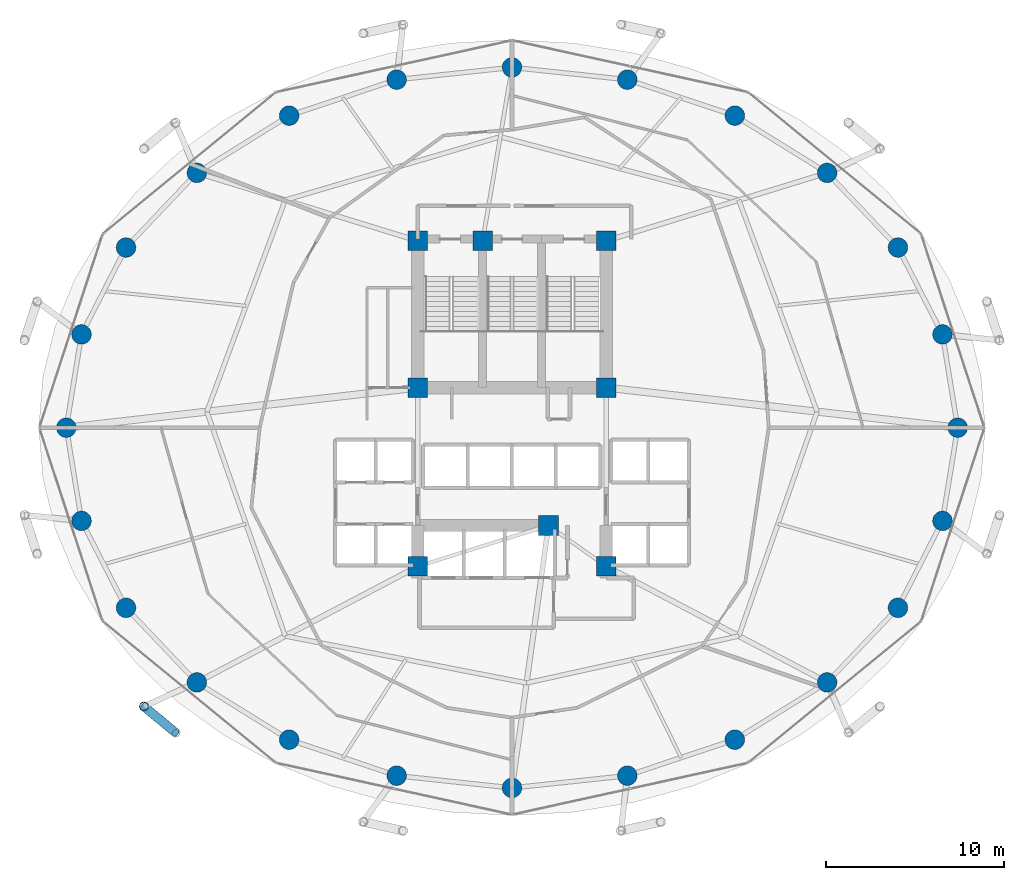
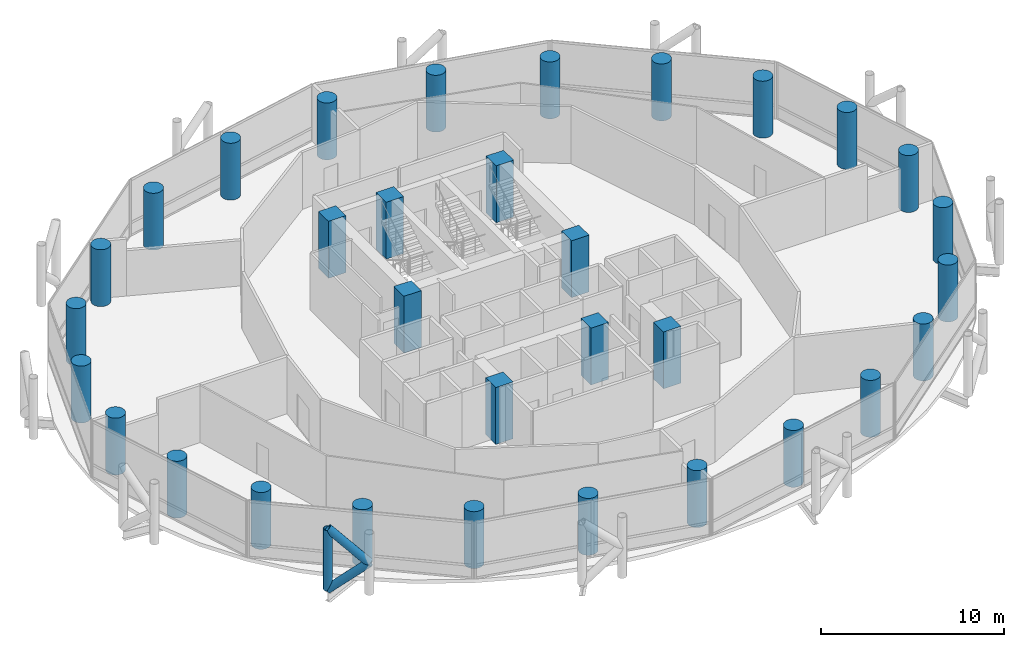
# One storey, part 1 of 24: 32 columns, 3 members.
"""IFC4 building model written with IfcOpenShell, lengths in metres."""

import ifcopenshell
import ifcopenshell.guid

model = None  # the IFC model being written
_history = None  # IfcOwnerHistory: only IFC2X3 demands one
_inside = {}  # id of a spatial element -> (the spatial element, [elements in it])
_under = {}  # id of a project, library or spatial element -> (it, [spatial elements below it])
_declared = {}  # id of a project -> (the project, [libraries it declares])
_typed = {}  # id of a type object -> (the type object, [elements of that type])
_made_of = {}  # id of a material, layer set ... -> (it, [elements and type objects made of it])


def new_model(schema):
    """Start an empty IFC model of exactly this schema.

    Asked for "IFC4X3", IfcOpenShell would pick the latest addendum, in which some entities
    have other attributes; the version numbers below select the first issue.
    IFC2X3 requires an IfcOwnerHistory on every rooted entity: one is made here for all.
    """
    global model, _history
    if schema == "IFC4X3":
        model = ifcopenshell.file(schema_version=(4, 3, 0, 0))
    else:
        model = ifcopenshell.file(schema=schema)
    _inside.clear()
    _under.clear()
    _declared.clear()
    _typed.clear()
    _made_of.clear()
    _history = None
    if model.schema == "IFC2X3":
        org = make("IfcOrganization", Name="unknown")
        user = make(
            "IfcPersonAndOrganization",
            ThePerson=make("IfcPerson", FamilyName="unknown"),
            TheOrganization=org,
        )
        app = make(
            "IfcApplication",
            ApplicationDeveloper=org,
            Version="unknown",
            ApplicationFullName="unknown",
            ApplicationIdentifier="unknown",
        )
        _history = make(
            "IfcOwnerHistory",
            OwningUser=user,
            OwningApplication=app,
            ChangeAction="ADDED",
            CreationDate=0,
        )
    return model


def make(cls, **values):
    """One entity of the class cls with the attributes given. An attribute that is None is left unset."""
    return model.create_entity(
        cls, **{name: value for name, value in values.items() if value is not None}
    )


def rooted(cls, **values):
    """An entity with a GlobalId (a new one), such as an element, a storey or a relation."""
    return make(cls, GlobalId=ifcopenshell.guid.new(), OwnerHistory=_history, **values)


def si_unit(unit_type, name, prefix=None):
    """IfcSIUnit, for example si_unit("LENGTHUNIT", "METRE", prefix="MILLI")."""
    return make("IfcSIUnit", UnitType=unit_type, Prefix=prefix, Name=name)


def assignment(units):
    """IfcUnitAssignment: the units of a project."""
    return None if units is None else make("IfcUnitAssignment", Units=units)


def point(xyz):
    """IfcCartesianPoint."""
    return None if xyz is None else make("IfcCartesianPoint", Coordinates=xyz)


def direction(xyz):
    """IfcDirection."""
    return None if xyz is None else make("IfcDirection", DirectionRatios=xyz)


def frame(location, z_axis=None, x_axis=None):
    """IfcAxis2Placement3D, a coordinate frame: its origin and axes. An axis left out is left unset."""
    return make(
        "IfcAxis2Placement3D",
        Location=point(location),
        Axis=direction(z_axis),
        RefDirection=direction(x_axis),
    )


def frame_2d(location, x_axis=None):
    """IfcAxis2Placement2D, a coordinate frame in the plane: its origin and x axis."""
    return make(
        "IfcAxis2Placement2D", Location=point(location), RefDirection=direction(x_axis)
    )


def origin():
    """The frame at (0, 0, 0) with its axes left unset."""
    return frame((0.0, 0.0, 0.0))


def origin_2d():
    """The frame at (0, 0) in the plane with its x axis left unset."""
    return frame_2d((0.0, 0.0))


def place(relative_to, where):
    """IfcLocalPlacement: puts the frame where relative to a parent placement (None: the world)."""
    return make(
        "IfcLocalPlacement", PlacementRelTo=relative_to, RelativePlacement=where
    )


def context(
    kind, dimensions, precision=None, world=None, true_north=None, identifier=None
):
    """IfcGeometricRepresentationContext, for example the 3D "Model" context."""
    return make(
        "IfcGeometricRepresentationContext",
        ContextIdentifier=identifier,
        ContextType=kind,
        CoordinateSpaceDimension=dimensions,
        Precision=precision,
        WorldCoordinateSystem=world,
        TrueNorth=true_north,
    )


def subcontext(parent, identifier, kind, view, scale=None):
    """IfcGeometricRepresentationSubContext, for example "Body" below "Model"."""
    return make(
        "IfcGeometricRepresentationSubContext",
        ContextIdentifier=identifier,
        ContextType=kind,
        ParentContext=parent,
        TargetScale=scale,
        TargetView=view,
    )


def project(units=None, contexts=None):
    """IfcProject with its units and contexts."""
    return rooted(
        "IfcProject",
        Name="project",
        RepresentationContexts=contexts,
        UnitsInContext=assignment(units),
    )


def spatial(cls, under=None, at=None, **own):
    """A site, building, storey or space (cls), placed at a placement, below another one or the project."""
    s = rooted(cls, ObjectPlacement=at, **own)
    if under is not None:
        _under.setdefault(under.id(), (under, []))[1].append(s)
    return s


def profile(cls, at=None, kind="AREA", **sizes):
    """A parametric profile (cls). Its sizes go by their IFC names, for example OverallWidth=200.0."""
    return make(cls, ProfileType=kind, Position=at, **sizes)


def rectangle(**sizes):
    """IfcRectangleProfileDef."""
    return profile("IfcRectangleProfileDef", **sizes)


def circle(**sizes):
    """IfcCircleProfileDef."""
    return profile("IfcCircleProfileDef", **sizes)


def hollow_circle(**sizes):
    """IfcCircleHollowProfileDef."""
    return profile("IfcCircleHollowProfileDef", **sizes)


def extrude(swept, where, along, depth):
    """IfcExtrudedAreaSolid: the profile swept, set in the frame where, extruded along a direction by depth."""
    return make(
        "IfcExtrudedAreaSolid",
        SweptArea=swept,
        Position=where,
        ExtrudedDirection=direction(along),
        Depth=depth,
    )


def shape(context_of_items, identifier, shape_type, items):
    """IfcShapeRepresentation: the items that make up one representation, for example the "Body"."""
    return make(
        "IfcShapeRepresentation",
        ContextOfItems=context_of_items,
        RepresentationIdentifier=identifier,
        RepresentationType=shape_type,
        Items=items,
    )


def material(Name=None, Category=None):
    """IfcMaterial."""
    return make("IfcMaterial", Name=Name, Category=Category)


def material_profile(
    of_material, cross_section, Name=None, Category=None, Priority=None
):
    """IfcMaterialProfile: a cross section and its material."""
    return make(
        "IfcMaterialProfile",
        Name=Name,
        Material=of_material,
        Profile=cross_section,
        Priority=Priority,
        Category=Category,
    )


def profile_set(profiles, Name=None, composite=None):
    """IfcMaterialProfileSet."""
    return make(
        "IfcMaterialProfileSet",
        Name=Name,
        MaterialProfiles=profiles,
        CompositeProfile=composite,
    )


def made_of(thing, what):
    """Note that an element or type object is made of a material, layer set ...; save() writes the relation."""
    if what is not None:
        _made_of.setdefault(what.id(), (what, []))[1].append(thing)
    return thing


def type_object(cls, material=None, **own):
    """A type object (cls), such as IfcWallType, which elements share."""
    return made_of(rooted(cls, **own), material)


def element(
    cls,
    number,
    at=None,
    inside=None,
    cuts=None,
    type_object=None,
    material=None,
    context=None,
    identifier="Body",
    shape_type=None,
    held_by="IfcProductDefinitionShape",
    body=None,
    shapes=None,
    **own,
):
    """One element of the class cls, such as IfcWall. Its Tag is "e" and its number.

    at: its placement. inside: the storey or other place that contains it. cuts: it is an
    opening in that element (IfcRelVoidsElement). A single representation is given by context,
    identifier, shape_type and body (its items); several are given by shapes. held_by: the class
    of the entity that holds the representations. save() writes the other relations.
    """
    e = rooted(cls, Tag="e%d" % number, ObjectPlacement=at, **own)
    if body is not None:
        shapes = [shape(context, identifier, shape_type, body)]
    if shapes is not None:
        e.Representation = make(held_by, Representations=shapes)
    if inside is not None:
        _inside.setdefault(inside.id(), (inside, []))[1].append(e)
    if cuts is not None:
        rooted(
            "IfcRelVoidsElement", RelatingBuildingElement=cuts, RelatedOpeningElement=e
        )
    if type_object is not None:
        _typed.setdefault(type_object.id(), (type_object, []))[1].append(e)
    return made_of(e, material)


def aggregate(whole, parts):
    """IfcRelAggregates: a whole, such as a stair, and the parts it consists of."""
    return rooted("IfcRelAggregates", RelatingObject=whole, RelatedObjects=parts)


def save(model, path):
    """Write the relations noted so far, then the file.

    IfcRelAggregates (storeys below a building ...), IfcRelContainedInSpatialStructure (elements
    in a storey), IfcRelDefinesByType, IfcRelAssociatesMaterial and IfcRelDeclares: one each for
    every whole, place, type object, material and project.
    """
    for whole, parts in _under.values():
        aggregate(whole, parts)
    for where, things in _inside.values():
        rooted(
            "IfcRelContainedInSpatialStructure",
            RelatedElements=things,
            RelatingStructure=where,
        )
    for kind, things in _typed.values():
        rooted("IfcRelDefinesByType", RelatedObjects=things, RelatingType=kind)
    for what, things in _made_of.values():
        rooted("IfcRelAssociatesMaterial", RelatedObjects=things, RelatingMaterial=what)
    for by, libraries in _declared.values():
        rooted("IfcRelDeclares", RelatingContext=by, RelatedDefinitions=libraries)
    model.write(path)


model = new_model("IFC4")

# Units and contexts
model_context = context("Model", 3, precision=1e-05, world=origin(), true_north=direction((0.0, 1.0)))
body_context = subcontext(model_context, "Body", "Model", "MODEL_VIEW")
ifc_project = project(units=[si_unit("LENGTHUNIT", "METRE"), si_unit("AREAUNIT", "SQUARE_METRE"), si_unit("VOLUMEUNIT", "CUBIC_METRE"), si_unit("PLANEANGLEUNIT", "RADIAN"), si_unit("MASSUNIT", "GRAM", prefix="KILO")], contexts=[model_context])

# Site, building, storey
site_placement = place(None, origin())
site = spatial("IfcSite", under=ifc_project, at=site_placement, CompositionType="ELEMENT")
building_placement = place(site_placement, origin())
building = spatial("IfcBuilding", under=site, at=building_placement, Name="Nuhasar Tower", CompositionType="ELEMENT")
storey_placement = place(building_placement, frame((0.0, 0.0, 73.64990234375)))
storey = spatial("IfcBuildingStorey", under=building, at=storey_placement, Name="L17", CompositionType="ELEMENT", Elevation=73.64990234375)

# Columns
ifc_material_1 = material(Name="Concrete C80/95", Category="concrete")
ifc_material_profile_1 = material_profile(ifc_material_1, circle(Radius=0.550048828125, at=origin_2d()), Name="CFT1100")
ifc_profile_set_1 = profile_set([ifc_material_profile_1], Name="Concrete C80/95")
column_type_1 = type_object("IfcColumnType", Name="COL-CFT-1100", PredefinedType="COLUMN", material=ifc_profile_set_1)
for number, where, z_axis, x_axis, name in (
    (1, (64.050048828125, 26.800048828125, 0.0), (0.0, 0.0, 1.0), (1.0, 0.0, 0.0), "L17 Perimeter Composite Column TC-01"),
    (2, (63.196044921875, 32.041015625, 0.0), (0.0, 0.0, 1.0), (1.0, 0.0, 0.0), "L17 Perimeter Composite Column TC-02"),
    (3, (60.694091796875, 36.925048828125, 0.0), (0.0, 0.0, 1.0), (1.0, 0.0, 0.0), "L17 Perimeter Composite Column TC-03"),
    (4, (56.712890625, 41.118896484375, 0.0), (0.0, 0.0, 1.0), (1.0, 0.0, 0.0), "L17 Perimeter Composite Column TC-04"),
    (5, (51.52490234375, 44.3369140625, 0.0), (0.0, 0.0, 1.0), (1.0, 0.0, 0.0), "L17 Perimeter Composite Column TC-05"),
    (6, (45.48291015625, 46.360107421875, 0.0), (0.0, 0.0, 1.0), (1.0, 0.0, 0.0), "L17 Perimeter Composite Column TC-06"),
    (7, (39.0, 47.050048828125, 0.0), (0.0, 0.0, 1.0), (1.0, 0.0, 0.0), "L17 Perimeter Composite Column TC-07"),
    (8, (32.51708984375, 46.360107421875, 0.0), (0.0, 0.0, 1.0), (1.0, 0.0, 0.0), "L17 Perimeter Composite Column TC-08"),
    (9, (26.47509765625, 44.3369140625, 0.0), (0.0, 0.0, 1.0), (1.0, 0.0, 0.0), "L17 Perimeter Composite Column TC-09"),
    (10, (21.287109375, 41.118896484375, 0.0), (0.0, 0.0, 1.0), (1.0, 0.0, 0.0), "L17 Perimeter Composite Column TC-10"),
    (11, (17.305908203125, 36.925048828125, 0.0), (0.0, 0.0, 1.0), (1.0, 0.0, 0.0), "L17 Perimeter Composite Column TC-11"),
    (12, (14.803955078125, 32.041015625, 0.0), (0.0, 0.0, 1.0), (1.0, 0.0, 0.0), "L17 Perimeter Composite Column TC-12"),
    (13, (13.949951171875, 26.800048828125, 0.0), (0.0, 0.0, 1.0), (1.0, 0.0, 0.0), "L17 Perimeter Composite Column TC-13"),
    (14, (14.803955078125, 21.55908203125, 0.0), (0.0, 0.0, 1.0), (1.0, 0.0, 0.0), "L17 Perimeter Composite Column TC-14"),
    (15, (17.305908203125, 16.675048828125, 0.0), (0.0, 0.0, 1.0), (1.0, 0.0, 0.0), "L17 Perimeter Composite Column TC-15"),
    (16, (21.287109375, 12.48095703125, 0.0), (0.0, 0.0, 1.0), (1.0, 0.0, 0.0), "L17 Perimeter Composite Column TC-16"),
    (17, (26.47509765625, 9.262939453125, 0.0), (0.0, 0.0, 1.0), (1.0, 0.0, 0.0), "L17 Perimeter Composite Column TC-17"),
    (18, (32.51708984375, 7.239990234375, 0.0), (0.0, 0.0, 1.0), (1.0, 0.0, 0.0), "L17 Perimeter Composite Column TC-18"),
    (19, (39.0, 6.550048828125, 0.0), (0.0, 0.0, 1.0), (1.0, 0.0, 0.0), "L17 Perimeter Composite Column TC-19"),
    (20, (45.48291015625, 7.239990234375, 0.0), (0.0, 0.0, 1.0), (1.0, 0.0, 0.0), "L17 Perimeter Composite Column TC-20"),
    (21, (51.52490234375, 9.262939453125, 0.0), (0.0, 0.0, 1.0), (1.0, 0.0, 0.0), "L17 Perimeter Composite Column TC-21"),
    (22, (56.712890625, 12.48095703125, 0.0), (0.0, 0.0, 1.0), (1.0, 0.0, 0.0), "L17 Perimeter Composite Column TC-22"),
    (23, (60.694091796875, 16.675048828125, 0.0), (0.0, 0.0, 1.0), (1.0, 0.0, 0.0), "L17 Perimeter Composite Column TC-23"),
    (24, (63.196044921875, 21.55908203125, 0.0), (0.0, 0.0, 1.0), (1.0, 0.0, 0.0), "L17 Perimeter Composite Column TC-24"),
):
    element("IfcColumn", number, at=place(storey_placement, frame(where, z_axis=z_axis, x_axis=x_axis)), inside=storey, type_object=column_type_1, Name=name, PredefinedType="COLUMN", context=body_context, shape_type="SweptSolid", body=[
        extrude(circle(Radius=0.550048828125, at=origin_2d()), origin(), (0.0, 0.0, 1.0), 3.800048828125),
    ])
ifc_material_profile_2 = material_profile(ifc_material_1, rectangle(XDim=1.10009765625, YDim=1.10009765625, at=origin_2d()), Name="RC1100X1100")
ifc_profile_set_2 = profile_set([ifc_material_profile_2], Name="Concrete C80/95")
column_type_2 = type_object("IfcColumnType", Name="PIL-RC-1100", PredefinedType="PILASTER", material=ifc_profile_set_2)
for number, where, z_axis, x_axis, name in (
    (25, (33.699951171875, 19.0, 0.0), (0.0, 0.0, 1.0), (1.0, 0.0, 0.0), "L17 Core Boundary Pilaster CC-01"),
    (26, (41.050048828125, 21.300048828125, 0.0), (0.0, 0.0, 1.0), (1.0, 0.0, 0.0), "L17 Core Boundary Pilaster CC-02"),
    (27, (44.300048828125, 19.0, 0.0), (0.0, 0.0, 1.0), (1.0, 0.0, 0.0), "L17 Core Boundary Pilaster CC-03"),
    (28, (44.300048828125, 29.050048828125, 0.0), (0.0, 0.0, 1.0), (1.0, 0.0, 0.0), "L17 Core Boundary Pilaster CC-04"),
    (29, (44.300048828125, 37.300048828125, 0.0), (0.0, 0.0, 1.0), (1.0, 0.0, 0.0), "L17 Core Boundary Pilaster CC-05"),
    (30, (37.35009765625, 37.300048828125, 0.0), (0.0, 0.0, 1.0), (1.0, 0.0, 0.0), "L17 Core Boundary Pilaster CC-06"),
    (31, (33.699951171875, 37.300048828125, 0.0), (0.0, 0.0, 1.0), (1.0, 0.0, 0.0), "L17 Core Boundary Pilaster CC-07"),
    (32, (33.699951171875, 29.050048828125, 0.0), (0.0, 0.0, 1.0), (1.0, 0.0, 0.0), "L17 Core Boundary Pilaster CC-08"),
):
    element("IfcColumn", number, at=place(storey_placement, frame(where, z_axis=z_axis, x_axis=x_axis)), inside=storey, type_object=column_type_2, Name=name, PredefinedType="PILASTER", context=body_context, shape_type="SweptSolid", body=[
        extrude(rectangle(XDim=1.10009765625, YDim=1.10009765625, at=origin_2d()), origin(), (0.0, 0.0, 1.0), 3.800048828125),
    ])

# Members
ifc_material_2 = material(Name="Steel S460", Category="steel")
ifc_material_profile_3 = material_profile(ifc_material_2, hollow_circle(Radius=0.25390625, WallThickness=0.025390625, at=origin_2d()), Name="HSS508X25.4")
ifc_profile_set_3 = profile_set([ifc_material_profile_3], Name="Steel S460")
member_type = type_object("IfcMemberType", Name="EXO-BRONZE-508", PredefinedType="BRACE", material=ifc_profile_set_3)
member_1_placement = place(storey_placement, frame((18.31494140625, 11.12890625, 0.0), z_axis=(0.0, 0.0, 1.0), x_axis=(1.0, 0.0, 0.0)))
element("IfcMember", 33, at=member_1_placement, inside=storey, type_object=member_type, Name="L17 Exoskeleton Chord Column EC-08A", PredefinedType="BRACE", context=body_context, shape_type="SweptSolid", body=[
    extrude(hollow_circle(Radius=0.25390625, WallThickness=0.025390625, at=origin_2d()), origin(), (0.0, 0.0, 1.0), 4.050048828125),
])
member_2_placement = place(storey_placement, frame((18.31494140625, 11.12890625, 0.0), z_axis=(0.578071194894, -0.478911834514, 0.660664172175), x_axis=(0.637969333506, 0.770061769929, 0.0)))
element("IfcMember", 34, at=member_2_placement, inside=storey, type_object=member_type, Name="L17 Bronze Diagrid Brace W1-08", PredefinedType="BRACE", context=body_context, shape_type="SweptSolid", body=[
    extrude(hollow_circle(Radius=0.25390625, WallThickness=0.025390625, at=origin_2d()), origin(), (0.0, 0.0, 1.0), 3.0654296875),
])
member_3_placement = place(storey_placement, frame((20.0869140625, 9.660888671875, 2.025146484375), z_axis=(-0.578101613167, 0.478937034992, 0.660619286251), x_axis=(-0.637969333506, -0.770061769929, 0.0)))
element("IfcMember", 35, at=member_3_placement, inside=storey, type_object=member_type, Name="L17 Bronze Diagrid Brace W2-08", PredefinedType="BRACE", context=body_context, shape_type="SweptSolid", body=[
    extrude(hollow_circle(Radius=0.25390625, WallThickness=0.025390625, at=origin_2d()), origin(), (0.0, 0.0, 1.0), 3.065185546875),
])

save(model, "model.ifc")
